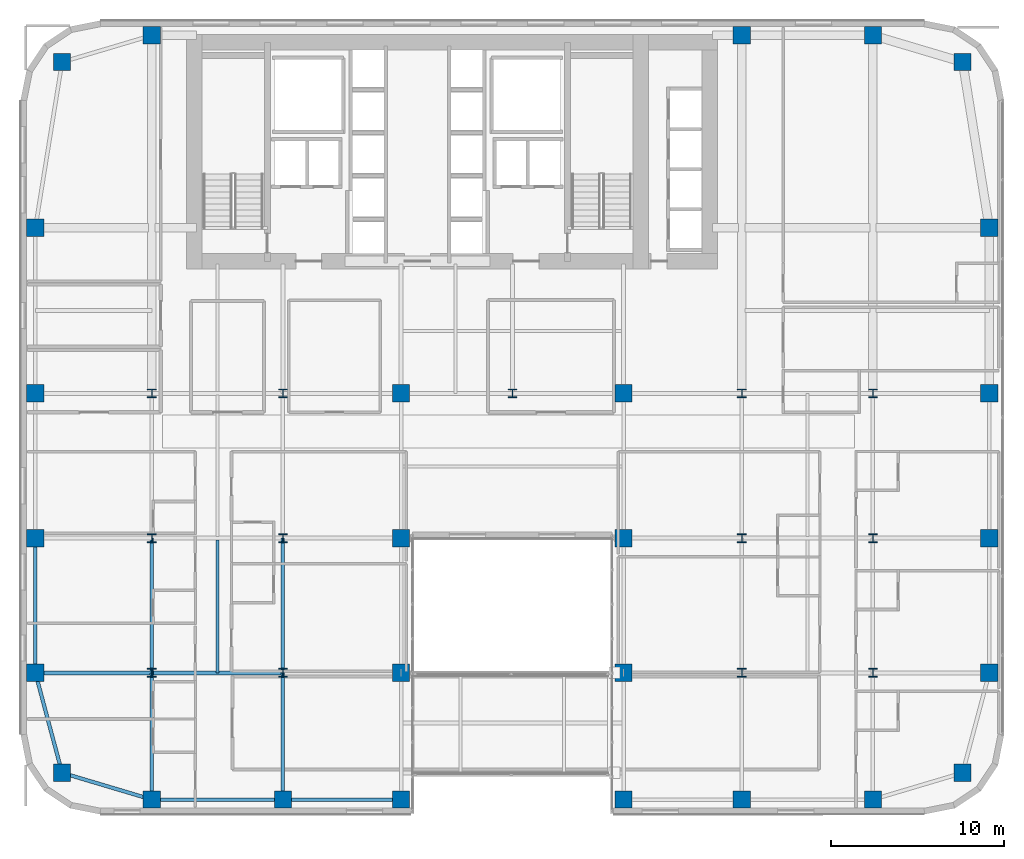
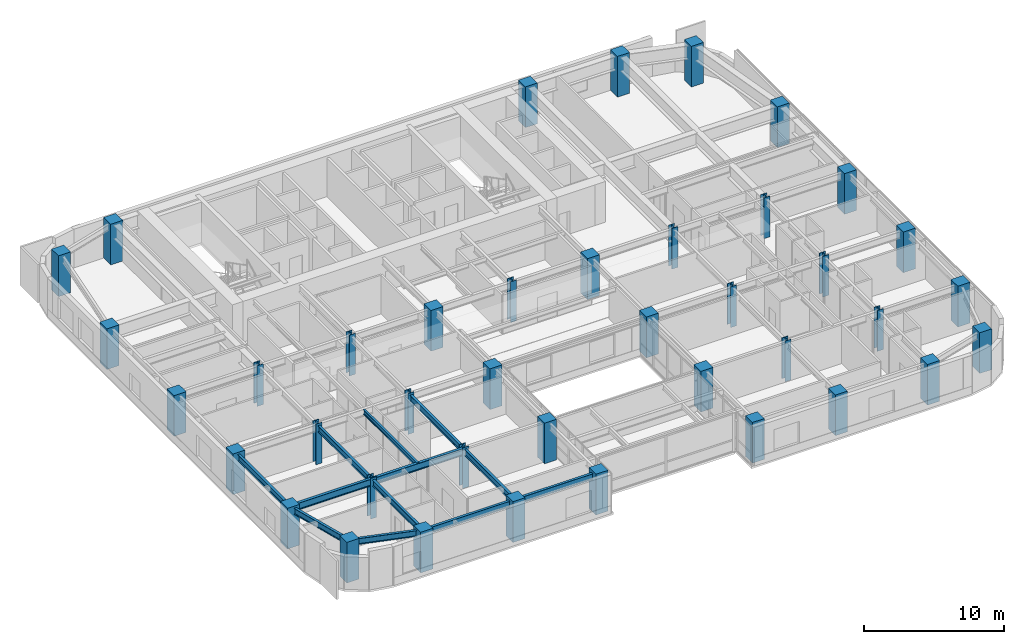
# One storey, part 1 of 31: 40 columns, 12 beams.
"""IFC4 building model written with IfcOpenShell, lengths in metres."""

import ifcopenshell
import ifcopenshell.guid

model = None  # the IFC model being written
_history = None  # IfcOwnerHistory: only IFC2X3 demands one
_inside = {}  # id of a spatial element -> (the spatial element, [elements in it])
_under = {}  # id of a project, library or spatial element -> (it, [spatial elements below it])
_declared = {}  # id of a project -> (the project, [libraries it declares])
_typed = {}  # id of a type object -> (the type object, [elements of that type])
_made_of = {}  # id of a material, layer set ... -> (it, [elements and type objects made of it])


def new_model(schema):
    """Start an empty IFC model of exactly this schema.

    Asked for "IFC4X3", IfcOpenShell would pick the latest addendum, in which some entities
    have other attributes; the version numbers below select the first issue.
    IFC2X3 requires an IfcOwnerHistory on every rooted entity: one is made here for all.
    """
    global model, _history
    if schema == "IFC4X3":
        model = ifcopenshell.file(schema_version=(4, 3, 0, 0))
    else:
        model = ifcopenshell.file(schema=schema)
    _inside.clear()
    _under.clear()
    _declared.clear()
    _typed.clear()
    _made_of.clear()
    _history = None
    if model.schema == "IFC2X3":
        org = make("IfcOrganization", Name="unknown")
        user = make(
            "IfcPersonAndOrganization",
            ThePerson=make("IfcPerson", FamilyName="unknown"),
            TheOrganization=org,
        )
        app = make(
            "IfcApplication",
            ApplicationDeveloper=org,
            Version="unknown",
            ApplicationFullName="unknown",
            ApplicationIdentifier="unknown",
        )
        _history = make(
            "IfcOwnerHistory",
            OwningUser=user,
            OwningApplication=app,
            ChangeAction="ADDED",
            CreationDate=0,
        )
    return model


def make(cls, **values):
    """One entity of the class cls with the attributes given. An attribute that is None is left unset."""
    return model.create_entity(
        cls, **{name: value for name, value in values.items() if value is not None}
    )


def rooted(cls, **values):
    """An entity with a GlobalId (a new one), such as an element, a storey or a relation."""
    return make(cls, GlobalId=ifcopenshell.guid.new(), OwnerHistory=_history, **values)


def si_unit(unit_type, name, prefix=None):
    """IfcSIUnit, for example si_unit("LENGTHUNIT", "METRE", prefix="MILLI")."""
    return make("IfcSIUnit", UnitType=unit_type, Prefix=prefix, Name=name)


def assignment(units):
    """IfcUnitAssignment: the units of a project."""
    return None if units is None else make("IfcUnitAssignment", Units=units)


def point(xyz):
    """IfcCartesianPoint."""
    return None if xyz is None else make("IfcCartesianPoint", Coordinates=xyz)


def direction(xyz):
    """IfcDirection."""
    return None if xyz is None else make("IfcDirection", DirectionRatios=xyz)


def frame(location, z_axis=None, x_axis=None):
    """IfcAxis2Placement3D, a coordinate frame: its origin and axes. An axis left out is left unset."""
    return make(
        "IfcAxis2Placement3D",
        Location=point(location),
        Axis=direction(z_axis),
        RefDirection=direction(x_axis),
    )


def frame_2d(location, x_axis=None):
    """IfcAxis2Placement2D, a coordinate frame in the plane: its origin and x axis."""
    return make(
        "IfcAxis2Placement2D", Location=point(location), RefDirection=direction(x_axis)
    )


def origin():
    """The frame at (0, 0, 0) with its axes left unset."""
    return frame((0.0, 0.0, 0.0))


def origin_2d():
    """The frame at (0, 0) in the plane with its x axis left unset."""
    return frame_2d((0.0, 0.0))


def place(relative_to, where):
    """IfcLocalPlacement: puts the frame where relative to a parent placement (None: the world)."""
    return make(
        "IfcLocalPlacement", PlacementRelTo=relative_to, RelativePlacement=where
    )


def context(
    kind, dimensions, precision=None, world=None, true_north=None, identifier=None
):
    """IfcGeometricRepresentationContext, for example the 3D "Model" context."""
    return make(
        "IfcGeometricRepresentationContext",
        ContextIdentifier=identifier,
        ContextType=kind,
        CoordinateSpaceDimension=dimensions,
        Precision=precision,
        WorldCoordinateSystem=world,
        TrueNorth=true_north,
    )


def subcontext(parent, identifier, kind, view, scale=None):
    """IfcGeometricRepresentationSubContext, for example "Body" below "Model"."""
    return make(
        "IfcGeometricRepresentationSubContext",
        ContextIdentifier=identifier,
        ContextType=kind,
        ParentContext=parent,
        TargetScale=scale,
        TargetView=view,
    )


def project(units=None, contexts=None):
    """IfcProject with its units and contexts."""
    return rooted(
        "IfcProject",
        Name="project",
        RepresentationContexts=contexts,
        UnitsInContext=assignment(units),
    )


def spatial(cls, under=None, at=None, **own):
    """A site, building, storey or space (cls), placed at a placement, below another one or the project."""
    s = rooted(cls, ObjectPlacement=at, **own)
    if under is not None:
        _under.setdefault(under.id(), (under, []))[1].append(s)
    return s


def profile(cls, at=None, kind="AREA", **sizes):
    """A parametric profile (cls). Its sizes go by their IFC names, for example OverallWidth=200.0."""
    return make(cls, ProfileType=kind, Position=at, **sizes)


def rectangle(**sizes):
    """IfcRectangleProfileDef."""
    return profile("IfcRectangleProfileDef", **sizes)


def i_section(**sizes):
    """IfcIShapeProfileDef."""
    return profile("IfcIShapeProfileDef", **sizes)


def extrude(swept, where, along, depth):
    """IfcExtrudedAreaSolid: the profile swept, set in the frame where, extruded along a direction by depth."""
    return make(
        "IfcExtrudedAreaSolid",
        SweptArea=swept,
        Position=where,
        ExtrudedDirection=direction(along),
        Depth=depth,
    )


def shape(context_of_items, identifier, shape_type, items):
    """IfcShapeRepresentation: the items that make up one representation, for example the "Body"."""
    return make(
        "IfcShapeRepresentation",
        ContextOfItems=context_of_items,
        RepresentationIdentifier=identifier,
        RepresentationType=shape_type,
        Items=items,
    )


def source(mapping_origin, context_of_items, identifier, shape_type, items):
    """IfcRepresentationMap: a shape defined once, which mapped items show again and again."""
    return make(
        "IfcRepresentationMap",
        MappingOrigin=mapping_origin,
        MappedRepresentation=shape(context_of_items, identifier, shape_type, items),
    )


def transform(
    local_origin,
    x_axis=None,
    y_axis=None,
    z_axis=None,
    scale=None,
    scale2=None,
    scale3=None,
    uniform=True,
):
    """IfcCartesianTransformationOperator3D, or its non-uniform kind. x_axis, y_axis, z_axis: its Axis1, 2, 3."""
    if uniform:
        return make(
            "IfcCartesianTransformationOperator3D",
            Axis1=direction(x_axis),
            Axis2=direction(y_axis),
            LocalOrigin=point(local_origin),
            Scale=scale,
            Axis3=direction(z_axis),
        )
    return make(
        "IfcCartesianTransformationOperator3DnonUniform",
        Axis1=direction(x_axis),
        Axis2=direction(y_axis),
        LocalOrigin=point(local_origin),
        Scale=scale,
        Axis3=direction(z_axis),
        Scale2=scale2,
        Scale3=scale3,
    )


def mapped(mapping_source, mapping_target):
    """IfcMappedItem: shows the shape of a source again, moved by a transform."""
    return make(
        "IfcMappedItem", MappingSource=mapping_source, MappingTarget=mapping_target
    )


def material(Name=None, Category=None):
    """IfcMaterial."""
    return make("IfcMaterial", Name=Name, Category=Category)


def material_profile(
    of_material, cross_section, Name=None, Category=None, Priority=None
):
    """IfcMaterialProfile: a cross section and its material."""
    return make(
        "IfcMaterialProfile",
        Name=Name,
        Material=of_material,
        Profile=cross_section,
        Priority=Priority,
        Category=Category,
    )


def profile_set(profiles, Name=None, composite=None):
    """IfcMaterialProfileSet."""
    return make(
        "IfcMaterialProfileSet",
        Name=Name,
        MaterialProfiles=profiles,
        CompositeProfile=composite,
    )


def made_of(thing, what):
    """Note that an element or type object is made of a material, layer set ...; save() writes the relation."""
    if what is not None:
        _made_of.setdefault(what.id(), (what, []))[1].append(thing)
    return thing


def type_object(cls, material=None, **own):
    """A type object (cls), such as IfcWallType, which elements share."""
    return made_of(rooted(cls, **own), material)


def type_shapes(of_type, sources):
    """Give a type object the sources (RepresentationMaps) that its elements show as mapped items."""
    of_type.RepresentationMaps = sources


def element(
    cls,
    number,
    at=None,
    inside=None,
    cuts=None,
    type_object=None,
    material=None,
    context=None,
    identifier="Body",
    shape_type=None,
    held_by="IfcProductDefinitionShape",
    body=None,
    shapes=None,
    **own,
):
    """One element of the class cls, such as IfcWall. Its Tag is "e" and its number.

    at: its placement. inside: the storey or other place that contains it. cuts: it is an
    opening in that element (IfcRelVoidsElement). A single representation is given by context,
    identifier, shape_type and body (its items); several are given by shapes. held_by: the class
    of the entity that holds the representations. save() writes the other relations.
    """
    e = rooted(cls, Tag="e%d" % number, ObjectPlacement=at, **own)
    if body is not None:
        shapes = [shape(context, identifier, shape_type, body)]
    if shapes is not None:
        e.Representation = make(held_by, Representations=shapes)
    if inside is not None:
        _inside.setdefault(inside.id(), (inside, []))[1].append(e)
    if cuts is not None:
        rooted(
            "IfcRelVoidsElement", RelatingBuildingElement=cuts, RelatedOpeningElement=e
        )
    if type_object is not None:
        _typed.setdefault(type_object.id(), (type_object, []))[1].append(e)
    return made_of(e, material)


def aggregate(whole, parts):
    """IfcRelAggregates: a whole, such as a stair, and the parts it consists of."""
    return rooted("IfcRelAggregates", RelatingObject=whole, RelatedObjects=parts)


def save(model, path):
    """Write the relations noted so far, then the file.

    IfcRelAggregates (storeys below a building ...), IfcRelContainedInSpatialStructure (elements
    in a storey), IfcRelDefinesByType, IfcRelAssociatesMaterial and IfcRelDeclares: one each for
    every whole, place, type object, material and project.
    """
    for whole, parts in _under.values():
        aggregate(whole, parts)
    for where, things in _inside.values():
        rooted(
            "IfcRelContainedInSpatialStructure",
            RelatedElements=things,
            RelatingStructure=where,
        )
    for kind, things in _typed.values():
        rooted("IfcRelDefinesByType", RelatedObjects=things, RelatingType=kind)
    for what, things in _made_of.values():
        rooted("IfcRelAssociatesMaterial", RelatedObjects=things, RelatingMaterial=what)
    for by, libraries in _declared.values():
        rooted("IfcRelDeclares", RelatingContext=by, RelatedDefinitions=libraries)
    model.write(path)


model = new_model("IFC4")

# Units and contexts
model_context = context("Model", 3, precision=1e-05, world=origin(), true_north=direction((0.0, 1.0)))
body_context = subcontext(model_context, "Body", "Model", "MODEL_VIEW")
ifc_project = project(units=[si_unit("LENGTHUNIT", "METRE"), si_unit("AREAUNIT", "SQUARE_METRE"), si_unit("VOLUMEUNIT", "CUBIC_METRE"), si_unit("PLANEANGLEUNIT", "RADIAN"), si_unit("MASSUNIT", "GRAM", prefix="KILO")], contexts=[model_context])

# Site, building, storey
site_placement = place(None, origin())
site = spatial("IfcSite", under=ifc_project, at=site_placement, CompositionType="ELEMENT")
building_placement = place(site_placement, origin())
building = spatial("IfcBuilding", under=site, at=building_placement, Name="Tolvann Quenvar Hotel", CompositionType="ELEMENT")
storey_placement = place(building_placement, frame((0.0, 0.0, 74.60009765625)))
storey = spatial("IfcBuildingStorey", under=building, at=storey_placement, Name="L18", CompositionType="ELEMENT", Elevation=74.60009765625)

# Columns
ifc_material_1 = material(Name="Concrete S65 (65 MPa)", Category="concrete")
ifc_material_profile_1 = material_profile(ifc_material_1, rectangle(XDim=1.0, YDim=1.0, at=origin_2d()), Name="RC1000x1000")
ifc_profile_set_1 = profile_set([ifc_material_profile_1], Name="Concrete S65 (65 MPa)")
column_type_1 = type_object("IfcColumnType", Name="COL_RC1000", PredefinedType="COLUMN", material=ifc_profile_set_1)
shared_shape_1 = source(origin(), body_context, "Body", "SweptSolid", [
    extrude(rectangle(XDim=1.0, YDim=1.0, at=origin_2d()), origin(), (0.0, 0.0, 1.0), 3.5498046875),
])
type_shapes(column_type_1, [shared_shape_1])
for number, where, z_axis, x_axis, name in (
    (1, (2.39990234375, 2.39990234375, 0.0), (0.0, 0.0, 1.0), (1.0, 0.0, 0.0), "Column B2 (L18)"),
    (2, (0.85009765625, 8.199951171875, 0.0), (0.0, 0.0, 1.0), (1.0, 0.0, 0.0), "Column B3 (L18)"),
    (3, (0.85009765625, 16.0, 0.0), (0.0, 0.0, 1.0), (1.0, 0.0, 0.0), "Column B4 (L18)"),
    (4, (0.85009765625, 24.39990234375, 0.0), (0.0, 0.0, 1.0), (1.0, 0.0, 0.0), "Column B5 (L18)"),
    (5, (7.60009765625, 0.85009765625, 0.0), (0.0, 0.0, 1.0), (1.0, 0.0, 0.0), "Column C2 (L18)"),
    (6, (15.199951171875, 0.85009765625, 0.0), (0.0, 0.0, 1.0), (1.0, 0.0, 0.0), "Column D2 (L18)"),
    (7, (22.050048828125, 0.85009765625, 0.0), (0.0, 0.0, 1.0), (1.0, 0.0, 0.0), "Column E2 (L18)"),
    (8, (22.050048828125, 8.199951171875, 0.0), (0.0, 0.0, 1.0), (1.0, 0.0, 0.0), "Column E3 (L18)"),
    (9, (22.050048828125, 16.0, 0.0), (0.0, 0.0, 1.0), (1.0, 0.0, 0.0), "Column E4 (L18)"),
    (10, (22.050048828125, 24.39990234375, 0.0), (0.0, 0.0, 1.0), (1.0, 0.0, 0.0), "Column E5 (L18)"),
    (11, (34.949951171875, 0.85009765625, 0.0), (0.0, 0.0, 1.0), (1.0, 0.0, 0.0), "Column F2 (L18)"),
    (12, (34.949951171875, 8.199951171875, 0.0), (0.0, 0.0, 1.0), (1.0, 0.0, 0.0), "Column F3 (L18)"),
    (13, (34.949951171875, 16.0, 0.0), (0.0, 0.0, 1.0), (1.0, 0.0, 0.0), "Column F4 (L18)"),
    (14, (34.949951171875, 24.39990234375, 0.0), (0.0, 0.0, 1.0), (1.0, 0.0, 0.0), "Column F5 (L18)"),
    (15, (41.800048828125, 0.85009765625, 0.0), (0.0, 0.0, 1.0), (1.0, 0.0, 0.0), "Column H2 (L18)"),
    (16, (49.39990234375, 0.85009765625, 0.0), (0.0, 0.0, 1.0), (1.0, 0.0, 0.0), "Column I2 (L18)"),
    (17, (54.60009765625, 2.39990234375, 0.0), (0.0, 0.0, 1.0), (1.0, 0.0, 0.0), "Column J2 (L18)"),
    (18, (56.14990234375, 8.199951171875, 0.0), (0.0, 0.0, 1.0), (1.0, 0.0, 0.0), "Column J3 (L18)"),
    (19, (56.14990234375, 16.0, 0.0), (0.0, 0.0, 1.0), (1.0, 0.0, 0.0), "Column J4 (L18)"),
    (20, (56.14990234375, 24.39990234375, 0.0), (0.0, 0.0, 1.0), (1.0, 0.0, 0.0), "Column J5 (L18)"),
    (21, (2.39990234375, 43.60009765625, 0.0), (0.0, 0.0, 1.0), (1.0, 0.0, 0.0), "Column BN (L18)"),
    (22, (7.60009765625, 45.14990234375, 0.0), (0.0, 0.0, 1.0), (1.0, 0.0, 0.0), "Column CN (L18)"),
    (23, (0.85009765625, 34.0, 0.0), (0.0, 0.0, 1.0), (1.0, 0.0, 0.0), "Column BD6 (L18)"),
    (24, (41.800048828125, 45.14990234375, 0.0), (0.0, 0.0, 1.0), (1.0, 0.0, 0.0), "Column HN (L18)"),
    (25, (49.39990234375, 45.14990234375, 0.0), (0.0, 0.0, 1.0), (1.0, 0.0, 0.0), "Column IN (L18)"),
    (26, (54.60009765625, 43.60009765625, 0.0), (0.0, 0.0, 1.0), (1.0, 0.0, 0.0), "Column JN (L18)"),
    (27, (56.14990234375, 34.0, 0.0), (0.0, 0.0, 1.0), (1.0, 0.0, 0.0), "Column JD6 (L18)"),
):
    element("IfcColumn", number, at=place(storey_placement, frame(where, z_axis=z_axis, x_axis=x_axis)), inside=storey, type_object=column_type_1, Name=name, PredefinedType="COLUMN", context=body_context, shape_type="MappedRepresentation", body=[
        mapped(shared_shape_1, transform((0.0, 0.0, 0.0), x_axis=(1.0, 0.0, 0.0), y_axis=(0.0, 1.0, 0.0), z_axis=(0.0, 0.0, 1.0), scale=1.0)),
    ])
ifc_material_2 = material(Name="Steel Grade 350", Category="steel")
ifc_material_profile_2 = material_profile(ifc_material_2, i_section(OverallWidth=0.5, OverallDepth=0.5, WebThickness=0.028076171875, FlangeThickness=0.044921875, at=origin_2d()), Name="500WC440")
ifc_profile_set_2 = profile_set([ifc_material_profile_2], Name="Steel Grade 350")
column_type_2 = type_object("IfcColumnType", Name="COL_500WC440", PredefinedType="COLUMN", material=ifc_profile_set_2)
shared_shape_2 = source(origin(), body_context, "Body", "SweptSolid", [
    extrude(i_section(OverallWidth=0.5, OverallDepth=0.5, WebThickness=0.028076171875, FlangeThickness=0.044921875, at=origin_2d()), origin(), (0.0, 0.0, 1.0), 3.5498046875),
])
type_shapes(column_type_2, [shared_shape_2])
for number, where, z_axis, x_axis, name in (
    (28, (7.60009765625, 8.199951171875, 0.0), (0.0, 0.0, 1.0), (1.0, 0.0, 0.0), "Column C3 (L18)"),
    (29, (7.60009765625, 16.0, 0.0), (0.0, 0.0, 1.0), (1.0, 0.0, 0.0), "Column C4 (L18)"),
    (30, (7.60009765625, 24.39990234375, 0.0), (0.0, 0.0, 1.0), (1.0, 0.0, 0.0), "Column C5 (L18)"),
    (31, (15.199951171875, 8.199951171875, 0.0), (0.0, 0.0, 1.0), (1.0, 0.0, 0.0), "Column D3 (L18)"),
    (32, (15.199951171875, 16.0, 0.0), (0.0, 0.0, 1.0), (1.0, 0.0, 0.0), "Column D4 (L18)"),
    (33, (15.199951171875, 24.39990234375, 0.0), (0.0, 0.0, 1.0), (1.0, 0.0, 0.0), "Column D5 (L18)"),
    (34, (41.800048828125, 8.199951171875, 0.0), (0.0, 0.0, 1.0), (1.0, 0.0, 0.0), "Column H3 (L18)"),
    (35, (41.800048828125, 16.0, 0.0), (0.0, 0.0, 1.0), (1.0, 0.0, 0.0), "Column H4 (L18)"),
    (36, (41.800048828125, 24.39990234375, 0.0), (0.0, 0.0, 1.0), (1.0, 0.0, 0.0), "Column H5 (L18)"),
    (37, (49.39990234375, 8.199951171875, 0.0), (0.0, 0.0, 1.0), (1.0, 0.0, 0.0), "Column I3 (L18)"),
    (38, (49.39990234375, 16.0, 0.0), (0.0, 0.0, 1.0), (1.0, 0.0, 0.0), "Column I4 (L18)"),
    (39, (49.39990234375, 24.39990234375, 0.0), (0.0, 0.0, 1.0), (1.0, 0.0, 0.0), "Column I5 (L18)"),
    (40, (28.5, 24.39990234375, 0.0), (0.0, 0.0, 1.0), (1.0, 0.0, 0.0), "Column M5 (L18)"),
):
    element("IfcColumn", number, at=place(storey_placement, frame(where, z_axis=z_axis, x_axis=x_axis)), inside=storey, type_object=column_type_2, Name=name, PredefinedType="COLUMN", context=body_context, shape_type="MappedRepresentation", body=[
        mapped(shared_shape_2, transform((0.0, 0.0, 0.0), x_axis=(1.0, 0.0, 0.0), y_axis=(0.0, 1.0, 0.0), z_axis=(0.0, 0.0, 1.0), scale=1.0)),
    ])

# Beams
ifc_material_profile_3 = material_profile(ifc_material_2, i_section(OverallWidth=0.208984375, OverallDepth=0.528076171875, WebThickness=0.009521484375, FlangeThickness=0.01318359375, FilletRadius=0.013916015625, at=origin_2d()), Name="530UB82")
ifc_profile_set_3 = profile_set([ifc_material_profile_3], Name="Steel Grade 350")
beam_type_1 = type_object("IfcBeamType", Name="BM_SPAND_530UB82", PredefinedType="SPANDREL", material=ifc_profile_set_3)
shared_shape_3 = source(origin(), body_context, "Body", "SweptSolid", [
    extrude(i_section(OverallWidth=0.208984375, OverallDepth=0.528076171875, WebThickness=0.009521484375, FlangeThickness=0.01318359375, FilletRadius=0.013916015625, at=origin_2d()), origin(), (0.0, 0.0, 1.0), 5.42626953125),
])
beam_1_placement = place(storey_placement, frame((2.39990234375, 2.39990234375, 3.10595703125), z_axis=(0.958344815522, -0.285613750654, 0.0), x_axis=(0.285613750654, 0.958344815522, 0.0)))
element("IfcBeam", 41, at=beam_1_placement, inside=storey, type_object=beam_type_1, Name="BM-L18-EW-2-B2-C2", PredefinedType="SPANDREL", context=body_context, shape_type="MappedRepresentation", body=[
    mapped(shared_shape_3, transform((0.0, 0.0, 0.0), x_axis=(1.0, 0.0, 0.0), y_axis=(0.0, 1.0, 0.0), z_axis=(0.0, 0.0, 1.0), scale=1.0)),
])
shared_shape_4 = source(origin(), body_context, "Body", "SweptSolid", [
    extrude(i_section(OverallWidth=0.208984375, OverallDepth=0.528076171875, WebThickness=0.009521484375, FlangeThickness=0.01318359375, FilletRadius=0.013916015625, at=origin_2d()), origin(), (0.0, 0.0, 1.0), 7.599853515625),
])
beam_2_placement = place(storey_placement, frame((7.60009765625, 0.85009765625, 3.10595703125), z_axis=(1.0, 0.0, 0.0), x_axis=(0.0, 1.0, 0.0)))
element("IfcBeam", 42, at=beam_2_placement, inside=storey, type_object=beam_type_1, Name="BM-L18-EW-2-C2-D2", PredefinedType="SPANDREL", context=body_context, shape_type="MappedRepresentation", body=[
    mapped(shared_shape_4, transform((0.0, 0.0, 0.0), x_axis=(1.0, 0.0, 0.0), y_axis=(0.0, 1.0, 0.0), z_axis=(0.0, 0.0, 1.0), scale=1.0)),
])
shared_shape_5 = source(origin(), body_context, "Body", "SweptSolid", [
    extrude(i_section(OverallWidth=0.208984375, OverallDepth=0.528076171875, WebThickness=0.009521484375, FlangeThickness=0.01318359375, FilletRadius=0.013916015625, at=origin_2d()), origin(), (0.0, 0.0, 1.0), 6.85009765625),
])
beam_3_placement = place(storey_placement, frame((15.199951171875, 0.85009765625, 3.10595703125), z_axis=(1.0, 0.0, 0.0), x_axis=(0.0, 1.0, 0.0)))
element("IfcBeam", 43, at=beam_3_placement, inside=storey, type_object=beam_type_1, Name="BM-L18-EW-2-D2-E2", PredefinedType="SPANDREL", context=body_context, shape_type="MappedRepresentation", body=[
    mapped(shared_shape_5, transform((0.0, 0.0, 0.0), x_axis=(1.0, 0.0, 0.0), y_axis=(0.0, 1.0, 0.0), z_axis=(0.0, 0.0, 1.0), scale=1.0)),
])
ifc_material_profile_4 = material_profile(ifc_material_2, i_section(OverallWidth=0.22900390625, OverallDepth=0.612060546875, WebThickness=0.011962890625, FlangeThickness=0.01953125, FilletRadius=0.013916015625, at=origin_2d()), Name="610UB125")
ifc_profile_set_4 = profile_set([ifc_material_profile_4], Name="Steel Grade 350")
beam_type_2 = type_object("IfcBeamType", Name="BM_GIRD_610UB125", PredefinedType="BEAM", material=ifc_profile_set_4)
shared_shape_6 = source(origin(), body_context, "Body", "SweptSolid", [
    extrude(i_section(OverallWidth=0.22900390625, OverallDepth=0.612060546875, WebThickness=0.011962890625, FlangeThickness=0.01953125, FilletRadius=0.013916015625, at=origin_2d()), origin(), (0.0, 0.0, 1.0), 6.75),
])
beam_4_placement = place(storey_placement, frame((0.85009765625, 8.199951171875, 3.06396484375), z_axis=(1.0, 0.0, 0.0), x_axis=(0.0, 1.0, 0.0)))
element("IfcBeam", 44, at=beam_4_placement, inside=storey, type_object=beam_type_2, Name="BM-L18-EW-3-B3-C3", PredefinedType="BEAM", context=body_context, shape_type="MappedRepresentation", body=[
    mapped(shared_shape_6, transform((0.0, 0.0, 0.0), x_axis=(1.0, 0.0, 0.0), y_axis=(0.0, 1.0, 0.0), z_axis=(0.0, 0.0, 1.0), scale=1.0)),
])
shared_shape_7 = source(origin(), body_context, "Body", "SweptSolid", [
    extrude(i_section(OverallWidth=0.22900390625, OverallDepth=0.612060546875, WebThickness=0.011962890625, FlangeThickness=0.01953125, FilletRadius=0.013916015625, at=origin_2d()), origin(), (0.0, 0.0, 1.0), 7.599853515625),
])
type_shapes(beam_type_2, [shared_shape_6, shared_shape_7])
beam_5_placement = place(storey_placement, frame((7.60009765625, 8.199951171875, 3.06396484375), z_axis=(1.0, 0.0, 0.0), x_axis=(0.0, 1.0, 0.0)))
element("IfcBeam", 45, at=beam_5_placement, inside=storey, type_object=beam_type_2, Name="BM-L18-EW-3-C3-D3", PredefinedType="BEAM", context=body_context, shape_type="MappedRepresentation", body=[
    mapped(shared_shape_7, transform((0.0, 0.0, 0.0), x_axis=(1.0, 0.0, 0.0), y_axis=(0.0, 1.0, 0.0), z_axis=(0.0, 0.0, 1.0), scale=1.0)),
])
shared_shape_8 = source(origin(), body_context, "Body", "SweptSolid", [
    extrude(i_section(OverallWidth=0.208984375, OverallDepth=0.528076171875, WebThickness=0.009521484375, FlangeThickness=0.01318359375, FilletRadius=0.013916015625, at=origin_2d()), origin(), (0.0, 0.0, 1.0), 6.00341796875),
])
beam_6_placement = place(storey_placement, frame((2.39990234375, 2.39990234375, 3.10595703125), z_axis=(-0.258148586649, 0.966105225745, 0.0), x_axis=(-0.966105225745, -0.258148586649, 0.0)))
element("IfcBeam", 46, at=beam_6_placement, inside=storey, type_object=beam_type_1, Name="BM-L18-NS-B2-B3", PredefinedType="SPANDREL", context=body_context, shape_type="MappedRepresentation", body=[
    mapped(shared_shape_8, transform((0.0, 0.0, 0.0), x_axis=(1.0, 0.0, 0.0), y_axis=(0.0, 1.0, 0.0), z_axis=(0.0, 0.0, 1.0), scale=1.0)),
])
shared_shape_9 = source(origin(), body_context, "Body", "SweptSolid", [
    extrude(i_section(OverallWidth=0.208984375, OverallDepth=0.528076171875, WebThickness=0.009521484375, FlangeThickness=0.01318359375, FilletRadius=0.013916015625, at=origin_2d()), origin(), (0.0, 0.0, 1.0), 7.800048828125),
])
type_shapes(beam_type_1, [shared_shape_3, shared_shape_4, shared_shape_5, shared_shape_8, shared_shape_9])
beam_7_placement = place(storey_placement, frame((0.85009765625, 8.199951171875, 3.10595703125), z_axis=(0.0, 1.0, 0.0), x_axis=(-1.0, 0.0, 0.0)))
element("IfcBeam", 47, at=beam_7_placement, inside=storey, type_object=beam_type_1, Name="BM-L18-NS-B3-B4", PredefinedType="SPANDREL", context=body_context, shape_type="MappedRepresentation", body=[
    mapped(shared_shape_9, transform((0.0, 0.0, 0.0), x_axis=(1.0, 0.0, 0.0), y_axis=(0.0, 1.0, 0.0), z_axis=(0.0, 0.0, 1.0), scale=1.0)),
])
ifc_material_profile_5 = material_profile(ifc_material_2, i_section(OverallWidth=0.208984375, OverallDepth=0.532958984375, WebThickness=0.01025390625, FlangeThickness=0.015625, FilletRadius=0.013916015625, at=origin_2d()), Name="530UB92")
ifc_profile_set_5 = profile_set([ifc_material_profile_5], Name="Steel Grade 350")
beam_type_3 = type_object("IfcBeamType", Name="BM_GIRD_530UB92", PredefinedType="BEAM", material=ifc_profile_set_5)
shared_shape_10 = source(origin(), body_context, "Body", "SweptSolid", [
    extrude(i_section(OverallWidth=0.208984375, OverallDepth=0.532958984375, WebThickness=0.01025390625, FlangeThickness=0.015625, FilletRadius=0.013916015625, at=origin_2d()), origin(), (0.0, 0.0, 1.0), 7.349853515625),
])
for number, where, z_axis, x_axis, name in (
    (48, (7.60009765625, 0.85009765625, 3.103515625), (0.0, 1.0, 0.0), (-1.0, 0.0, 0.0), "BM-L18-NS-C2-C3"),
    (49, (15.199951171875, 0.85009765625, 3.103515625), (0.0, 1.0, 0.0), (-1.0, 0.0, 0.0), "BM-L18-NS-D2-D3"),
):
    element("IfcBeam", number, at=place(storey_placement, frame(where, z_axis=z_axis, x_axis=x_axis)), inside=storey, type_object=beam_type_3, Name=name, PredefinedType="BEAM", context=body_context, shape_type="MappedRepresentation", body=[
        mapped(shared_shape_10, transform((0.0, 0.0, 0.0), x_axis=(1.0, 0.0, 0.0), y_axis=(0.0, 1.0, 0.0), z_axis=(0.0, 0.0, 1.0), scale=1.0)),
    ])
shared_shape_11 = source(origin(), body_context, "Body", "SweptSolid", [
    extrude(i_section(OverallWidth=0.208984375, OverallDepth=0.532958984375, WebThickness=0.01025390625, FlangeThickness=0.015625, FilletRadius=0.013916015625, at=origin_2d()), origin(), (0.0, 0.0, 1.0), 7.800048828125),
])
type_shapes(beam_type_3, [shared_shape_10, shared_shape_11])
for number, where, z_axis, x_axis, name in (
    (50, (7.60009765625, 8.199951171875, 3.103515625), (0.0, 1.0, 0.0), (-1.0, 0.0, 0.0), "BM-L18-NS-C3-C4"),
    (51, (15.199951171875, 8.199951171875, 3.103515625), (0.0, 1.0, 0.0), (-1.0, 0.0, 0.0), "BM-L18-NS-D3-D4"),
):
    element("IfcBeam", number, at=place(storey_placement, frame(where, z_axis=z_axis, x_axis=x_axis)), inside=storey, type_object=beam_type_3, Name=name, PredefinedType="BEAM", context=body_context, shape_type="MappedRepresentation", body=[
        mapped(shared_shape_11, transform((0.0, 0.0, 0.0), x_axis=(1.0, 0.0, 0.0), y_axis=(0.0, 1.0, 0.0), z_axis=(0.0, 0.0, 1.0), scale=1.0)),
    ])
ifc_material_profile_6 = material_profile(ifc_material_2, i_section(OverallWidth=0.177978515625, OverallDepth=0.406005859375, WebThickness=0.0078125, FlangeThickness=0.0126953125, FilletRadius=0.011474609375, at=origin_2d()), Name="410UB60")
ifc_profile_set_6 = profile_set([ifc_material_profile_6], Name="Steel Grade 350")
beam_type_4 = type_object("IfcBeamType", Name="BM_JOIST_410UB60", PredefinedType="JOIST", material=ifc_profile_set_6)
shared_shape_12 = source(origin(), body_context, "Body", "SweptSolid", [
    extrude(i_section(OverallWidth=0.177978515625, OverallDepth=0.406005859375, WebThickness=0.0078125, FlangeThickness=0.0126953125, FilletRadius=0.011474609375, at=origin_2d()), origin(), (0.0, 0.0, 1.0), 7.691650390625),
])
type_shapes(beam_type_4, [shared_shape_12])
beam_8_placement = place(storey_placement, frame((11.39990234375, 8.199951171875, 3.1669921875), z_axis=(0.0, 1.0, 0.0), x_axis=(-1.0, 0.0, 0.0)))
element("IfcBeam", 52, at=beam_8_placement, inside=storey, type_object=beam_type_4, Name="BJ-L18-114-82", PredefinedType="JOIST", context=body_context, shape_type="MappedRepresentation", body=[
    mapped(shared_shape_12, transform((0.0, 0.0, 0.0), x_axis=(1.0, 0.0, 0.0), y_axis=(0.0, 1.0, 0.0), z_axis=(0.0, 0.0, 1.0), scale=1.0)),
])

save(model, "model.ifc")
